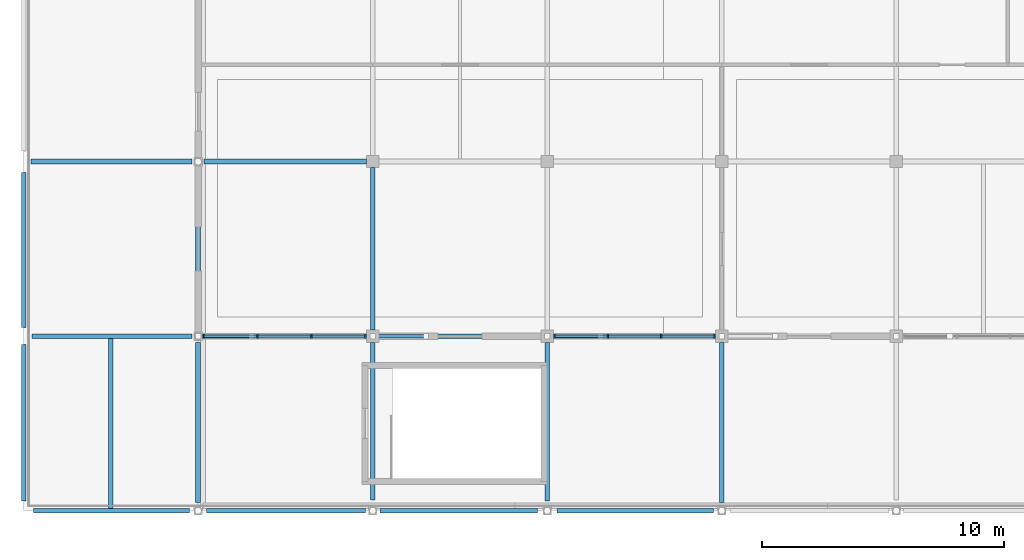
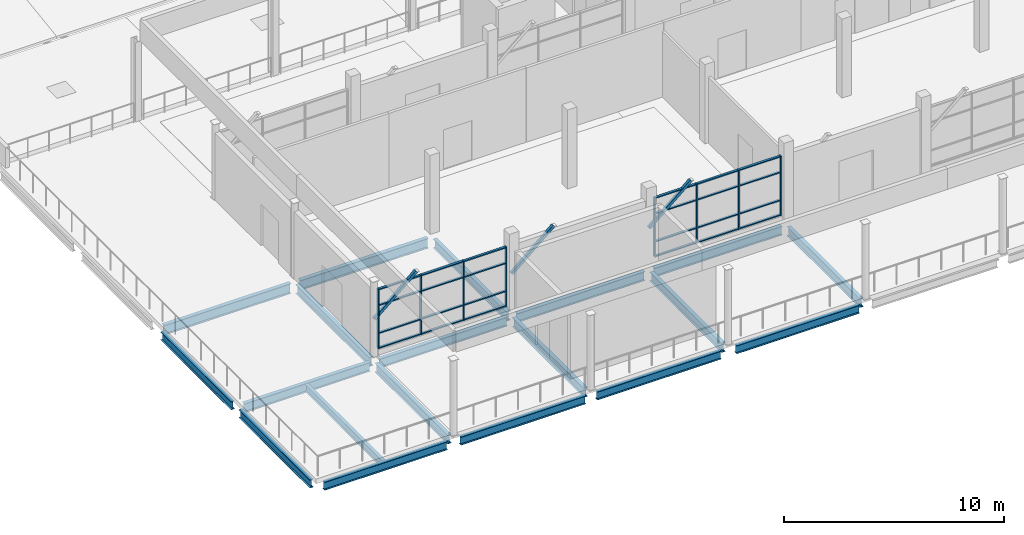
# One storey, part 5 of 32: 35 members, 19 beams, 2 elements without a shape of their own.
"""IFC4 building model written with IfcOpenShell, lengths in metres."""

from ifc_helpers import new_model, si_unit, direction, frame, origin, origin_2d, place, context, subcontext, project, spatial, rectangle, hollow_rectangle, i_section, extrude, material, material_profile, profile_set, type_object, element, aggregate, save


model = new_model("IFC4")

# Units and contexts
model_context = context("Model", 3, precision=1e-05, world=origin(), true_north=direction((0.0, 1.0)))
body_context = subcontext(model_context, "Body", "Model", "MODEL_VIEW")
ifc_project = project(units=[si_unit("LENGTHUNIT", "METRE"), si_unit("AREAUNIT", "SQUARE_METRE"), si_unit("VOLUMEUNIT", "CUBIC_METRE"), si_unit("PLANEANGLEUNIT", "RADIAN"), si_unit("MASSUNIT", "GRAM", prefix="KILO")], contexts=[model_context])

# Site, building, storey
site_placement = place(None, origin())
site = spatial("IfcSite", under=ifc_project, at=site_placement, CompositionType="ELEMENT")
building_placement = place(site_placement, origin())
building = spatial("IfcBuilding", under=site, at=building_placement, Name="Sardonyx Promenade Sports Hall", CompositionType="ELEMENT")
storey_placement = place(building_placement, frame((0.0, 0.0, 20.39990234375)))
storey = spatial("IfcBuildingStorey", under=building, at=storey_placement, Name="L04", CompositionType="ELEMENT", Elevation=20.39990234375)

# Beams
ifc_material_1 = material(Name="Steel S355JR", Category="steel")
ifc_material_profile_1 = material_profile(ifc_material_1, i_section(OverallWidth=0.179931640625, OverallDepth=0.39990234375, WebThickness=0.008544921875, FlangeThickness=0.013427734375, at=origin_2d()))
ifc_profile_set_1 = profile_set([ifc_material_profile_1], Name="Steel S355JR")
beam_type_1 = type_object("IfcBeamType", Name="Bm_Joist_IPE400", PredefinedType="JOIST", material=ifc_profile_set_1)
beam_1_placement = place(storey_placement, frame((3.60009765625, 0.094970703125, -0.4599609375), z_axis=(0.0, 1.0, 0.0), x_axis=(-1.0, 0.0, 0.0)))
element("IfcBeam", 1, at=beam_1_placement, inside=storey, type_object=beam_type_1, Name="Secondary joist SJ02 L04 #1092", PredefinedType="JOIST", context=body_context, shape_type="SweptSolid", body=[
    extrude(i_section(OverallWidth=0.179931640625, OverallDepth=0.39990234375, WebThickness=0.008544921875, FlangeThickness=0.013427734375, at=origin_2d()), origin(), (0.0, 0.0, 1.0), 7.005126953125),
])
ifc_material_2 = material(Name="Steel S355JR", Category="steel")
ifc_material_profile_2 = material_profile(ifc_material_2, i_section(OverallWidth=0.199951171875, OverallDepth=0.5, WebThickness=0.01025390625, FlangeThickness=0.01611328125, at=origin_2d()))
ifc_profile_set_2 = profile_set([ifc_material_profile_2], Name="Steel S355JR")
beam_type_2 = type_object("IfcBeamType", Name="Bm_Primary_IPE500", PredefinedType="BEAM", material=ifc_profile_set_2)
beam_2_placement = place(storey_placement, frame((0.35009765625, 7.199951171875, -0.510009765625), z_axis=(1.0, 0.0, 0.0), x_axis=(0.0, 1.0, 0.0)))
element("IfcBeam", 2, at=beam_2_placement, inside=storey, type_object=beam_type_2, Name="Beam SB06 L04 #951", PredefinedType="BEAM", context=body_context, shape_type="SweptSolid", body=[
    extrude(i_section(OverallWidth=0.199951171875, OverallDepth=0.5, WebThickness=0.01025390625, FlangeThickness=0.01611328125, at=origin_2d()), origin(), (0.0, 0.0, 1.0), 6.599853515625),
])
beam_3_placement = place(storey_placement, frame((7.449951171875, 7.199951171875, -0.52001953125), z_axis=(1.0, 0.0, 0.0), x_axis=(0.0, 1.0, 0.0)))
element("IfcBeam", 3, at=beam_3_placement, inside=storey, type_object=beam_type_2, Name="Beam SB06 L04 #952", PredefinedType="BEAM", context=body_context, shape_type="SweptSolid", body=[
    extrude(i_section(OverallWidth=0.199951171875, OverallDepth=0.5, WebThickness=0.01025390625, FlangeThickness=0.01611328125, at=origin_2d()), origin(), (0.0, 0.0, 1.0), 6.699951171875),
])
beam_4_placement = place(storey_placement, frame((14.64990234375, 7.199951171875, -0.52001953125), z_axis=(1.0, 0.0, 0.0), x_axis=(0.0, 1.0, 0.0)))
element("IfcBeam", 4, at=beam_4_placement, inside=storey, type_object=beam_type_2, Name="Beam SB06 L04 #953", PredefinedType="BEAM", context=body_context, shape_type="SweptSolid", body=[
    extrude(i_section(OverallWidth=0.199951171875, OverallDepth=0.5, WebThickness=0.01025390625, FlangeThickness=0.01611328125, at=origin_2d()), origin(), (0.0, 0.0, 1.0), 6.7001953125),
])
beam_5_placement = place(storey_placement, frame((21.85009765625, 7.199951171875, -0.52001953125), z_axis=(1.0, 0.0, 0.0), x_axis=(0.0, 1.0, 0.0)))
element("IfcBeam", 5, at=beam_5_placement, inside=storey, type_object=beam_type_2, Name="Beam SB06 L04 #954", PredefinedType="BEAM", context=body_context, shape_type="SweptSolid", body=[
    extrude(i_section(OverallWidth=0.199951171875, OverallDepth=0.5, WebThickness=0.01025390625, FlangeThickness=0.01611328125, at=origin_2d()), origin(), (0.0, 0.0, 1.0), 6.699951171875),
])
beam_6_placement = place(storey_placement, frame((7.199951171875, 0.35009765625, -0.510009765625), z_axis=(0.0, 1.0, 0.0), x_axis=(-1.0, 0.0, 0.0)))
element("IfcBeam", 6, at=beam_6_placement, inside=storey, type_object=beam_type_2, Name="Beam SB06 L04 #1016", PredefinedType="BEAM", context=body_context, shape_type="SweptSolid", body=[
    extrude(i_section(OverallWidth=0.199951171875, OverallDepth=0.5, WebThickness=0.01025390625, FlangeThickness=0.01611328125, at=origin_2d()), origin(), (0.0, 0.0, 1.0), 6.599853515625),
])
beam_7_placement = place(storey_placement, frame((7.199951171875, 7.449951171875, -0.52001953125), z_axis=(0.0, 1.0, 0.0), x_axis=(-1.0, 0.0, 0.0)))
element("IfcBeam", 7, at=beam_7_placement, inside=storey, type_object=beam_type_2, Name="Beam SB06 L04 #1017", PredefinedType="BEAM", context=body_context, shape_type="SweptSolid", body=[
    extrude(i_section(OverallWidth=0.199951171875, OverallDepth=0.5, WebThickness=0.01025390625, FlangeThickness=0.01611328125, at=origin_2d()), origin(), (0.0, 0.0, 1.0), 6.699951171875),
])
beam_8_placement = place(storey_placement, frame((14.39990234375, 0.449951171875, -0.510009765625), z_axis=(0.0, 1.0, 0.0), x_axis=(-1.0, 0.0, 0.0)))
element("IfcBeam", 8, at=beam_8_placement, inside=storey, type_object=beam_type_2, Name="Beam SB06 L04 #1022", PredefinedType="BEAM", context=body_context, shape_type="SweptSolid", body=[
    extrude(i_section(OverallWidth=0.199951171875, OverallDepth=0.5, WebThickness=0.01025390625, FlangeThickness=0.01611328125, at=origin_2d()), origin(), (0.0, 0.0, 1.0), 6.5),
])
beam_9_placement = place(storey_placement, frame((14.39990234375, 7.449951171875, -0.52001953125), z_axis=(0.0, 1.0, 0.0), x_axis=(-1.0, 0.0, 0.0)))
element("IfcBeam", 9, at=beam_9_placement, inside=storey, type_object=beam_type_2, Name="Beam SB06 L04 #1023", PredefinedType="BEAM", context=body_context, shape_type="SweptSolid", body=[
    extrude(i_section(OverallWidth=0.199951171875, OverallDepth=0.5, WebThickness=0.01025390625, FlangeThickness=0.01611328125, at=origin_2d()), origin(), (0.0, 0.0, 1.0), 6.699951171875),
])
beam_10_placement = place(storey_placement, frame((21.60009765625, 0.39990234375, -0.510009765625), z_axis=(0.0, 1.0, 0.0), x_axis=(-1.0, 0.0, 0.0)))
element("IfcBeam", 10, at=beam_10_placement, inside=storey, type_object=beam_type_2, Name="Beam SB06 L04 #1028", PredefinedType="BEAM", context=body_context, shape_type="SweptSolid", body=[
    extrude(i_section(OverallWidth=0.199951171875, OverallDepth=0.5, WebThickness=0.01025390625, FlangeThickness=0.01611328125, at=origin_2d()), origin(), (0.0, 0.0, 1.0), 6.550048828125),
])
beam_11_placement = place(storey_placement, frame((28.800048828125, 0.35009765625, -0.510009765625), z_axis=(0.0, 1.0, 0.0), x_axis=(-1.0, 0.0, 0.0)))
element("IfcBeam", 11, at=beam_11_placement, inside=storey, type_object=beam_type_2, Name="Beam SB06 L04 #1038", PredefinedType="BEAM", context=body_context, shape_type="SweptSolid", body=[
    extrude(i_section(OverallWidth=0.199951171875, OverallDepth=0.5, WebThickness=0.01025390625, FlangeThickness=0.01611328125, at=origin_2d()), origin(), (0.0, 0.0, 1.0), 6.599853515625),
])
ifc_material_3 = material(Name="Steel S355JR", Category="steel")
ifc_material_profile_3 = material_profile(ifc_material_3, i_section(OverallWidth=0.2099609375, OverallDepth=0.550048828125, WebThickness=0.010986328125, FlangeThickness=0.01708984375, at=origin_2d()))
ifc_profile_set_3 = profile_set([ifc_material_profile_3], Name="Steel S355JR")
beam_type_3 = type_object("IfcBeamType", Name="Bm_Primary_IPE550", PredefinedType="BEAM", material=ifc_profile_set_3)
beam_12_placement = place(storey_placement, frame((0.300048828125, 14.39990234375, -0.534912109375), z_axis=(1.0, 0.0, 0.0), x_axis=(0.0, 1.0, 0.0)))
element("IfcBeam", 12, at=beam_12_placement, inside=storey, type_object=beam_type_3, Name="Beam SB03 L04 #966", PredefinedType="BEAM", context=body_context, shape_type="SweptSolid", body=[
    extrude(i_section(OverallWidth=0.2099609375, OverallDepth=0.550048828125, WebThickness=0.010986328125, FlangeThickness=0.01708984375, at=origin_2d()), origin(), (0.0, 0.0, 1.0), 6.64990234375),
])
beam_13_placement = place(storey_placement, frame((7.449951171875, 14.39990234375, -0.544921875), z_axis=(1.0, 0.0, 0.0), x_axis=(0.0, 1.0, 0.0)))
element("IfcBeam", 13, at=beam_13_placement, inside=storey, type_object=beam_type_3, Name="Beam SB03 L04 #967", PredefinedType="BEAM", context=body_context, shape_type="SweptSolid", body=[
    extrude(i_section(OverallWidth=0.2099609375, OverallDepth=0.550048828125, WebThickness=0.010986328125, FlangeThickness=0.01708984375, at=origin_2d()), origin(), (0.0, 0.0, 1.0), 6.699951171875),
])
ifc_material_4 = material(Name="Steel S355JR", Category="steel")
ifc_material_profile_4 = material_profile(ifc_material_4, i_section(OverallWidth=0.18994140625, OverallDepth=0.449951171875, WebThickness=0.009521484375, FlangeThickness=0.0146484375, at=origin_2d()))
ifc_profile_set_4 = profile_set([ifc_material_profile_4], Name="Steel S355JR")
beam_type_4 = type_object("IfcBeamType", Name="Bm_Spandrel_Steel", PredefinedType="SPANDREL", material=ifc_profile_set_4)
beam_14_placement = place(storey_placement, frame((0.39990234375, 0.0, -0.48486328125), z_axis=(1.0, 0.0, 0.0), x_axis=(0.0, 1.0, 0.0)))
element("IfcBeam", 14, at=beam_14_placement, inside=storey, type_object=beam_type_4, Name="Beam SPB3 L04 #936", PredefinedType="SPANDREL", context=body_context, shape_type="SweptSolid", body=[
    extrude(i_section(OverallWidth=0.18994140625, OverallDepth=0.449951171875, WebThickness=0.009521484375, FlangeThickness=0.0146484375, at=origin_2d()), origin(), (0.0, 0.0, 1.0), 6.4501953125),
])
beam_15_placement = place(storey_placement, frame((7.550048828125, 0.0, -0.48486328125), z_axis=(1.0, 0.0, 0.0), x_axis=(0.0, 1.0, 0.0)))
element("IfcBeam", 15, at=beam_15_placement, inside=storey, type_object=beam_type_4, Name="Beam SPB3 L04 #937", PredefinedType="SPANDREL", context=body_context, shape_type="SweptSolid", body=[
    extrude(i_section(OverallWidth=0.18994140625, OverallDepth=0.449951171875, WebThickness=0.009521484375, FlangeThickness=0.0146484375, at=origin_2d()), origin(), (0.0, 0.0, 1.0), 6.550048828125),
])
beam_16_placement = place(storey_placement, frame((14.699951171875, 0.0, -0.48486328125), z_axis=(1.0, 0.0, 0.0), x_axis=(0.0, 1.0, 0.0)))
element("IfcBeam", 16, at=beam_16_placement, inside=storey, type_object=beam_type_4, Name="Beam SPB3 L04 #938", PredefinedType="SPANDREL", context=body_context, shape_type="SweptSolid", body=[
    extrude(i_section(OverallWidth=0.18994140625, OverallDepth=0.449951171875, WebThickness=0.009521484375, FlangeThickness=0.0146484375, at=origin_2d()), origin(), (0.0, 0.0, 1.0), 6.5),
])
beam_17_placement = place(storey_placement, frame((22.0, 0.0, -0.48486328125), z_axis=(1.0, 0.0, 0.0), x_axis=(0.0, 1.0, 0.0)))
element("IfcBeam", 17, at=beam_17_placement, inside=storey, type_object=beam_type_4, Name="Beam SPB3 L04 #939", PredefinedType="SPANDREL", context=body_context, shape_type="SweptSolid", body=[
    extrude(i_section(OverallWidth=0.18994140625, OverallDepth=0.449951171875, WebThickness=0.009521484375, FlangeThickness=0.0146484375, at=origin_2d()), origin(), (0.0, 0.0, 1.0), 6.449951171875),
])
beam_18_placement = place(storey_placement, frame((0.0, 0.39990234375, -0.48486328125), z_axis=(0.0, 1.0, 0.0), x_axis=(-1.0, 0.0, 0.0)))
element("IfcBeam", 18, at=beam_18_placement, inside=storey, type_object=beam_type_4, Name="Beam SPB3 L04 #1011", PredefinedType="SPANDREL", context=body_context, shape_type="SweptSolid", body=[
    extrude(i_section(OverallWidth=0.18994140625, OverallDepth=0.449951171875, WebThickness=0.009521484375, FlangeThickness=0.0146484375, at=origin_2d()), origin(), (0.0, 0.0, 1.0), 6.4501953125),
])
beam_19_placement = place(storey_placement, frame((0.0, 7.550048828125, -0.48486328125), z_axis=(0.0, 1.0, 0.0), x_axis=(-1.0, 0.0, 0.0)))
element("IfcBeam", 19, at=beam_19_placement, inside=storey, type_object=beam_type_4, Name="Beam SPB3 L04 #1012", PredefinedType="SPANDREL", context=body_context, shape_type="SweptSolid", body=[
    extrude(i_section(OverallWidth=0.18994140625, OverallDepth=0.449951171875, WebThickness=0.009521484375, FlangeThickness=0.0146484375, at=origin_2d()), origin(), (0.0, 0.0, 1.0), 6.39990234375),
])

# Curtain wall, members
ifc_material_5 = material(Name="Aluminium 6063-T6", Category="aluminium")
curtain_wall_type = type_object("IfcCurtainWallType", Name="CW_Pavilion_L04_640", PredefinedType="USERDEFINED", material=ifc_material_5)
curtain_wall_1_placement = place(storey_placement, origin())
curtain_wall_1 = element("IfcCurtainWall", 20, at=curtain_wall_1_placement, inside=storey, type_object=curtain_wall_type, Name="Curtain wall CW10 cw:L04:173", ObjectType="CURTAIN WALL", PredefinedType="USERDEFINED")
ifc_material_6 = material(Name="Aluminium 6063-T6", Category="aluminium")
ifc_material_profile_5 = material_profile(ifc_material_6, rectangle(XDim=0.06005859375, YDim=0.14990234375, at=origin_2d()))
ifc_profile_set_5 = profile_set([ifc_material_profile_5], Name="Aluminium 6063-T6")
member_type_1 = type_object("IfcMemberType", Name="CW_Mull_150", PredefinedType="MULLION", material=ifc_profile_set_5)
member_1_placement = place(storey_placement, frame((28.5, 7.199951171875, 0.300048828125), z_axis=(0.0, 0.0, 1.0), x_axis=(-1.0, 0.0, 0.0)))
member_1 = element("IfcMember", 21, at=member_1_placement, type_object=member_type_1, Name="Mullion CM01 cw:L04:173 #1", PredefinedType="MULLION", context=body_context, shape_type="SweptSolid", body=[
    extrude(rectangle(XDim=0.06005859375, YDim=0.14990234375, at=origin_2d()), origin(), (0.0, 0.0, 1.0), 3.300048828125),
])
member_2_placement = place(storey_placement, frame((26.300048828125, 7.199951171875, 0.300048828125), z_axis=(0.0, 0.0, 1.0), x_axis=(-1.0, 0.0, 0.0)))
member_2 = element("IfcMember", 22, at=member_2_placement, type_object=member_type_1, Name="Mullion CM01 cw:L04:173 #2", PredefinedType="MULLION", context=body_context, shape_type="SweptSolid", body=[
    extrude(rectangle(XDim=0.06005859375, YDim=0.14990234375, at=origin_2d()), origin(), (0.0, 0.0, 1.0), 3.300048828125),
])
member_3_placement = place(storey_placement, frame((24.10009765625, 7.199951171875, 0.300048828125), z_axis=(0.0, 0.0, 1.0), x_axis=(-1.0, 0.0, 0.0)))
member_3 = element("IfcMember", 23, at=member_3_placement, type_object=member_type_1, Name="Mullion CM01 cw:L04:173 #3", PredefinedType="MULLION", context=body_context, shape_type="SweptSolid", body=[
    extrude(rectangle(XDim=0.06005859375, YDim=0.14990234375, at=origin_2d()), origin(), (0.0, 0.0, 1.0), 3.300048828125),
])
member_4_placement = place(storey_placement, frame((21.89990234375, 7.199951171875, 0.300048828125), z_axis=(0.0, 0.0, 1.0), x_axis=(-1.0, 0.0, 0.0)))
member_4 = element("IfcMember", 24, at=member_4_placement, type_object=member_type_1, Name="Mullion CM01 cw:L04:173 #4", PredefinedType="MULLION", context=body_context, shape_type="SweptSolid", body=[
    extrude(rectangle(XDim=0.06005859375, YDim=0.14990234375, at=origin_2d()), origin(), (0.0, 0.0, 1.0), 3.300048828125),
])

curtain_wall_2_placement = place(storey_placement, origin())
curtain_wall_2 = element("IfcCurtainWall", 25, at=curtain_wall_2_placement, inside=storey, type_object=curtain_wall_type, Name="Curtain wall CW10 cw:L04:174", ObjectType="CURTAIN WALL", PredefinedType="USERDEFINED")
member_5_placement = place(storey_placement, frame((14.10009765625, 7.199951171875, 0.300048828125), z_axis=(0.0, 0.0, 1.0), x_axis=(-1.0, 0.0, 0.0)))
member_5 = element("IfcMember", 26, at=member_5_placement, type_object=member_type_1, Name="Mullion CM01 cw:L04:174 #1", PredefinedType="MULLION", context=body_context, shape_type="SweptSolid", body=[
    extrude(rectangle(XDim=0.06005859375, YDim=0.14990234375, at=origin_2d()), origin(), (0.0, 0.0, 1.0), 3.300048828125),
])
member_6_placement = place(storey_placement, frame((11.87060546875, 7.199951171875, 0.300048828125), z_axis=(0.0, 0.0, 1.0), x_axis=(-1.0, 0.0, 0.0)))
member_6 = element("IfcMember", 27, at=member_6_placement, type_object=member_type_1, Name="Mullion CM01 cw:L04:174 #2", PredefinedType="MULLION", context=body_context, shape_type="SweptSolid", body=[
    extrude(rectangle(XDim=0.06005859375, YDim=0.14990234375, at=origin_2d()), origin(), (0.0, 0.0, 1.0), 3.300048828125),
])
member_7_placement = place(storey_placement, frame((9.641357421875, 7.199951171875, 0.300048828125), z_axis=(0.0, 0.0, 1.0), x_axis=(-1.0, 0.0, 0.0)))
member_7 = element("IfcMember", 28, at=member_7_placement, type_object=member_type_1, Name="Mullion CM01 cw:L04:174 #3", PredefinedType="MULLION", context=body_context, shape_type="SweptSolid", body=[
    extrude(rectangle(XDim=0.06005859375, YDim=0.14990234375, at=origin_2d()), origin(), (0.0, 0.0, 1.0), 3.300048828125),
])
member_8_placement = place(storey_placement, frame((7.411865234375, 7.199951171875, 0.300048828125), z_axis=(0.0, 0.0, 1.0), x_axis=(-1.0, 0.0, 0.0)))
member_8 = element("IfcMember", 29, at=member_8_placement, type_object=member_type_1, Name="Mullion CM01 cw:L04:174 #4", PredefinedType="MULLION", context=body_context, shape_type="SweptSolid", body=[
    extrude(rectangle(XDim=0.06005859375, YDim=0.14990234375, at=origin_2d()), origin(), (0.0, 0.0, 1.0), 3.300048828125),
])

# Member
ifc_material_7 = material(Name="Aluminium 6063-T6", Category="aluminium")
ifc_material_profile_6 = material_profile(ifc_material_7, rectangle(XDim=0.06005859375, YDim=0.1201171875, at=origin_2d()))
ifc_profile_set_6 = profile_set([ifc_material_profile_6], Name="Aluminium 6063-T6")
member_type_2 = type_object("IfcMemberType", Name="CW_Tran_120", PredefinedType="USERDEFINED", material=ifc_profile_set_6)
member_9_placement = place(storey_placement, frame((28.469970703125, 7.199951171875, 0.330078125), z_axis=(-1.0, 0.0, 0.0), x_axis=(0.0, 0.0, 1.0)))
member_9 = element("IfcMember", 30, at=member_9_placement, type_object=member_type_2, Name="Transom CT01 cw:L04:173 #1", ObjectType="TRANSOM", PredefinedType="USERDEFINED", context=body_context, shape_type="SweptSolid", body=[
    extrude(rectangle(XDim=0.06005859375, YDim=0.1201171875, at=origin_2d()), origin(), (0.0, 0.0, 1.0), 2.139892578125),
])

member_10_placement = place(storey_placement, frame((28.469970703125, 7.199951171875, 1.150146484375), z_axis=(-1.0, 0.0, 0.0), x_axis=(0.0, 0.0, 1.0)))
member_10 = element("IfcMember", 31, at=member_10_placement, type_object=member_type_2, Name="Transom CT01 cw:L04:173 #2", ObjectType="TRANSOM", PredefinedType="USERDEFINED", context=body_context, shape_type="SweptSolid", body=[
    extrude(rectangle(XDim=0.06005859375, YDim=0.1201171875, at=origin_2d()), origin(), (0.0, 0.0, 1.0), 2.139892578125),
])

member_11_placement = place(storey_placement, frame((28.469970703125, 7.199951171875, 2.7001953125), z_axis=(-1.0, 0.0, 0.0), x_axis=(0.0, 0.0, 1.0)))
member_11 = element("IfcMember", 32, at=member_11_placement, type_object=member_type_2, Name="Transom CT01 cw:L04:173 #3", ObjectType="TRANSOM", PredefinedType="USERDEFINED", context=body_context, shape_type="SweptSolid", body=[
    extrude(rectangle(XDim=0.06005859375, YDim=0.1201171875, at=origin_2d()), origin(), (0.0, 0.0, 1.0), 2.139892578125),
])

member_12_placement = place(storey_placement, frame((28.469970703125, 7.199951171875, 3.570068359375), z_axis=(-1.0, 0.0, 0.0), x_axis=(0.0, 0.0, 1.0)))
member_12 = element("IfcMember", 33, at=member_12_placement, type_object=member_type_2, Name="Transom CT01 cw:L04:173 #4", ObjectType="TRANSOM", PredefinedType="USERDEFINED", context=body_context, shape_type="SweptSolid", body=[
    extrude(rectangle(XDim=0.06005859375, YDim=0.1201171875, at=origin_2d()), origin(), (0.0, 0.0, 1.0), 2.139892578125),
])

member_13_placement = place(storey_placement, frame((26.27001953125, 7.199951171875, 0.330078125), z_axis=(-1.0, 0.0, 0.0), x_axis=(0.0, 0.0, 1.0)))
member_13 = element("IfcMember", 34, at=member_13_placement, type_object=member_type_2, Name="Transom CT01 cw:L04:173 #5", ObjectType="TRANSOM", PredefinedType="USERDEFINED", context=body_context, shape_type="SweptSolid", body=[
    extrude(rectangle(XDim=0.06005859375, YDim=0.1201171875, at=origin_2d()), origin(), (0.0, 0.0, 1.0), 2.14013671875),
])

member_14_placement = place(storey_placement, frame((26.27001953125, 7.199951171875, 1.150146484375), z_axis=(-1.0, 0.0, 0.0), x_axis=(0.0, 0.0, 1.0)))
member_14 = element("IfcMember", 35, at=member_14_placement, type_object=member_type_2, Name="Transom CT01 cw:L04:173 #6", ObjectType="TRANSOM", PredefinedType="USERDEFINED", context=body_context, shape_type="SweptSolid", body=[
    extrude(rectangle(XDim=0.06005859375, YDim=0.1201171875, at=origin_2d()), origin(), (0.0, 0.0, 1.0), 2.14013671875),
])

member_15_placement = place(storey_placement, frame((26.27001953125, 7.199951171875, 2.7001953125), z_axis=(-1.0, 0.0, 0.0), x_axis=(0.0, 0.0, 1.0)))
member_15 = element("IfcMember", 36, at=member_15_placement, type_object=member_type_2, Name="Transom CT01 cw:L04:173 #7", ObjectType="TRANSOM", PredefinedType="USERDEFINED", context=body_context, shape_type="SweptSolid", body=[
    extrude(rectangle(XDim=0.06005859375, YDim=0.1201171875, at=origin_2d()), origin(), (0.0, 0.0, 1.0), 2.14013671875),
])

member_16_placement = place(storey_placement, frame((26.27001953125, 7.199951171875, 3.570068359375), z_axis=(-1.0, 0.0, 0.0), x_axis=(0.0, 0.0, 1.0)))
member_16 = element("IfcMember", 37, at=member_16_placement, type_object=member_type_2, Name="Transom CT01 cw:L04:173 #8", ObjectType="TRANSOM", PredefinedType="USERDEFINED", context=body_context, shape_type="SweptSolid", body=[
    extrude(rectangle(XDim=0.06005859375, YDim=0.1201171875, at=origin_2d()), origin(), (0.0, 0.0, 1.0), 2.14013671875),
])

member_17_placement = place(storey_placement, frame((24.070068359375, 7.199951171875, 0.330078125), z_axis=(-1.0, 0.0, 0.0), x_axis=(0.0, 0.0, 1.0)))
member_17 = element("IfcMember", 38, at=member_17_placement, type_object=member_type_2, Name="Transom CT01 cw:L04:173 #9", ObjectType="TRANSOM", PredefinedType="USERDEFINED", context=body_context, shape_type="SweptSolid", body=[
    extrude(rectangle(XDim=0.06005859375, YDim=0.1201171875, at=origin_2d()), origin(), (0.0, 0.0, 1.0), 2.14013671875),
])

member_18_placement = place(storey_placement, frame((24.070068359375, 7.199951171875, 1.150146484375), z_axis=(-1.0, 0.0, 0.0), x_axis=(0.0, 0.0, 1.0)))
member_18 = element("IfcMember", 39, at=member_18_placement, type_object=member_type_2, Name="Transom CT01 cw:L04:173 #10", ObjectType="TRANSOM", PredefinedType="USERDEFINED", context=body_context, shape_type="SweptSolid", body=[
    extrude(rectangle(XDim=0.06005859375, YDim=0.1201171875, at=origin_2d()), origin(), (0.0, 0.0, 1.0), 2.14013671875),
])

member_19_placement = place(storey_placement, frame((24.070068359375, 7.199951171875, 2.7001953125), z_axis=(-1.0, 0.0, 0.0), x_axis=(0.0, 0.0, 1.0)))
member_19 = element("IfcMember", 40, at=member_19_placement, type_object=member_type_2, Name="Transom CT01 cw:L04:173 #11", ObjectType="TRANSOM", PredefinedType="USERDEFINED", context=body_context, shape_type="SweptSolid", body=[
    extrude(rectangle(XDim=0.06005859375, YDim=0.1201171875, at=origin_2d()), origin(), (0.0, 0.0, 1.0), 2.14013671875),
])

member_20_placement = place(storey_placement, frame((24.070068359375, 7.199951171875, 3.570068359375), z_axis=(-1.0, 0.0, 0.0), x_axis=(0.0, 0.0, 1.0)))
member_20 = element("IfcMember", 41, at=member_20_placement, type_object=member_type_2, Name="Transom CT01 cw:L04:173 #12", ObjectType="TRANSOM", PredefinedType="USERDEFINED", context=body_context, shape_type="SweptSolid", body=[
    extrude(rectangle(XDim=0.06005859375, YDim=0.1201171875, at=origin_2d()), origin(), (0.0, 0.0, 1.0), 2.14013671875),
])

aggregate(curtain_wall_1, [member_1, member_2, member_3, member_4, member_9, member_10, member_11, member_12, member_13, member_14, member_15, member_16, member_17, member_18, member_19, member_20])

member_21_placement = place(storey_placement, frame((14.070068359375, 7.199951171875, 0.330078125), z_axis=(-1.0, 0.0, 0.0), x_axis=(0.0, 0.0, 1.0)))
member_21 = element("IfcMember", 42, at=member_21_placement, type_object=member_type_2, Name="Transom CT01 cw:L04:174 #1", ObjectType="TRANSOM", PredefinedType="USERDEFINED", context=body_context, shape_type="SweptSolid", body=[
    extrude(rectangle(XDim=0.06005859375, YDim=0.1201171875, at=origin_2d()), origin(), (0.0, 0.0, 1.0), 2.16943359375),
])

member_22_placement = place(storey_placement, frame((14.070068359375, 7.199951171875, 1.150146484375), z_axis=(-1.0, 0.0, 0.0), x_axis=(0.0, 0.0, 1.0)))
member_22 = element("IfcMember", 43, at=member_22_placement, type_object=member_type_2, Name="Transom CT01 cw:L04:174 #2", ObjectType="TRANSOM", PredefinedType="USERDEFINED", context=body_context, shape_type="SweptSolid", body=[
    extrude(rectangle(XDim=0.06005859375, YDim=0.1201171875, at=origin_2d()), origin(), (0.0, 0.0, 1.0), 2.16943359375),
])

member_23_placement = place(storey_placement, frame((14.070068359375, 7.199951171875, 2.7001953125), z_axis=(-1.0, 0.0, 0.0), x_axis=(0.0, 0.0, 1.0)))
member_23 = element("IfcMember", 44, at=member_23_placement, type_object=member_type_2, Name="Transom CT01 cw:L04:174 #3", ObjectType="TRANSOM", PredefinedType="USERDEFINED", context=body_context, shape_type="SweptSolid", body=[
    extrude(rectangle(XDim=0.06005859375, YDim=0.1201171875, at=origin_2d()), origin(), (0.0, 0.0, 1.0), 2.16943359375),
])

member_24_placement = place(storey_placement, frame((14.070068359375, 7.199951171875, 3.570068359375), z_axis=(-1.0, 0.0, 0.0), x_axis=(0.0, 0.0, 1.0)))
member_24 = element("IfcMember", 45, at=member_24_placement, type_object=member_type_2, Name="Transom CT01 cw:L04:174 #4", ObjectType="TRANSOM", PredefinedType="USERDEFINED", context=body_context, shape_type="SweptSolid", body=[
    extrude(rectangle(XDim=0.06005859375, YDim=0.1201171875, at=origin_2d()), origin(), (0.0, 0.0, 1.0), 2.16943359375),
])

member_25_placement = place(storey_placement, frame((11.840576171875, 7.199951171875, 0.330078125), z_axis=(-1.0, 0.0, 0.0), x_axis=(0.0, 0.0, 1.0)))
member_25 = element("IfcMember", 46, at=member_25_placement, type_object=member_type_2, Name="Transom CT01 cw:L04:174 #5", ObjectType="TRANSOM", PredefinedType="USERDEFINED", context=body_context, shape_type="SweptSolid", body=[
    extrude(rectangle(XDim=0.06005859375, YDim=0.1201171875, at=origin_2d()), origin(), (0.0, 0.0, 1.0), 2.169189453125),
])

member_26_placement = place(storey_placement, frame((11.840576171875, 7.199951171875, 1.150146484375), z_axis=(-1.0, 0.0, 0.0), x_axis=(0.0, 0.0, 1.0)))
member_26 = element("IfcMember", 47, at=member_26_placement, type_object=member_type_2, Name="Transom CT01 cw:L04:174 #6", ObjectType="TRANSOM", PredefinedType="USERDEFINED", context=body_context, shape_type="SweptSolid", body=[
    extrude(rectangle(XDim=0.06005859375, YDim=0.1201171875, at=origin_2d()), origin(), (0.0, 0.0, 1.0), 2.169189453125),
])

member_27_placement = place(storey_placement, frame((11.840576171875, 7.199951171875, 2.7001953125), z_axis=(-1.0, 0.0, 0.0), x_axis=(0.0, 0.0, 1.0)))
member_27 = element("IfcMember", 48, at=member_27_placement, type_object=member_type_2, Name="Transom CT01 cw:L04:174 #7", ObjectType="TRANSOM", PredefinedType="USERDEFINED", context=body_context, shape_type="SweptSolid", body=[
    extrude(rectangle(XDim=0.06005859375, YDim=0.1201171875, at=origin_2d()), origin(), (0.0, 0.0, 1.0), 2.169189453125),
])

member_28_placement = place(storey_placement, frame((11.840576171875, 7.199951171875, 3.570068359375), z_axis=(-1.0, 0.0, 0.0), x_axis=(0.0, 0.0, 1.0)))
member_28 = element("IfcMember", 49, at=member_28_placement, type_object=member_type_2, Name="Transom CT01 cw:L04:174 #8", ObjectType="TRANSOM", PredefinedType="USERDEFINED", context=body_context, shape_type="SweptSolid", body=[
    extrude(rectangle(XDim=0.06005859375, YDim=0.1201171875, at=origin_2d()), origin(), (0.0, 0.0, 1.0), 2.169189453125),
])

member_29_placement = place(storey_placement, frame((9.611328125, 7.199951171875, 0.330078125), z_axis=(-1.0, 0.0, 0.0), x_axis=(0.0, 0.0, 1.0)))
member_29 = element("IfcMember", 50, at=member_29_placement, type_object=member_type_2, Name="Transom CT01 cw:L04:174 #9", ObjectType="TRANSOM", PredefinedType="USERDEFINED", context=body_context, shape_type="SweptSolid", body=[
    extrude(rectangle(XDim=0.06005859375, YDim=0.1201171875, at=origin_2d()), origin(), (0.0, 0.0, 1.0), 2.16943359375),
])

member_30_placement = place(storey_placement, frame((9.611328125, 7.199951171875, 1.150146484375), z_axis=(-1.0, 0.0, 0.0), x_axis=(0.0, 0.0, 1.0)))
member_30 = element("IfcMember", 51, at=member_30_placement, type_object=member_type_2, Name="Transom CT01 cw:L04:174 #10", ObjectType="TRANSOM", PredefinedType="USERDEFINED", context=body_context, shape_type="SweptSolid", body=[
    extrude(rectangle(XDim=0.06005859375, YDim=0.1201171875, at=origin_2d()), origin(), (0.0, 0.0, 1.0), 2.16943359375),
])

member_31_placement = place(storey_placement, frame((9.611328125, 7.199951171875, 2.7001953125), z_axis=(-1.0, 0.0, 0.0), x_axis=(0.0, 0.0, 1.0)))
member_31 = element("IfcMember", 52, at=member_31_placement, type_object=member_type_2, Name="Transom CT01 cw:L04:174 #11", ObjectType="TRANSOM", PredefinedType="USERDEFINED", context=body_context, shape_type="SweptSolid", body=[
    extrude(rectangle(XDim=0.06005859375, YDim=0.1201171875, at=origin_2d()), origin(), (0.0, 0.0, 1.0), 2.16943359375),
])

member_32_placement = place(storey_placement, frame((9.611328125, 7.199951171875, 3.570068359375), z_axis=(-1.0, 0.0, 0.0), x_axis=(0.0, 0.0, 1.0)))
member_32 = element("IfcMember", 53, at=member_32_placement, type_object=member_type_2, Name="Transom CT01 cw:L04:174 #12", ObjectType="TRANSOM", PredefinedType="USERDEFINED", context=body_context, shape_type="SweptSolid", body=[
    extrude(rectangle(XDim=0.06005859375, YDim=0.1201171875, at=origin_2d()), origin(), (0.0, 0.0, 1.0), 2.16943359375),
])

aggregate(curtain_wall_2, [member_5, member_6, member_7, member_8, member_21, member_22, member_23, member_24, member_25, member_26, member_27, member_28, member_29, member_30, member_31, member_32])

# Members
ifc_material_8 = material(Name="Steel S355JR", Category="steel")
ifc_material_profile_7 = material_profile(ifc_material_8, hollow_rectangle(XDim=0.14990234375, YDim=0.14990234375, WallThickness=0.008056640625, at=origin_2d()))
ifc_profile_set_7 = profile_set([ifc_material_profile_7], Name="Steel S355JR")
member_type_3 = type_object("IfcMemberType", Name="Mbr_Strut_SHS150", PredefinedType="STRUT", material=ifc_profile_set_7)
member_33_placement = place(storey_placement, frame((7.199951171875, 7.199951171875, 2.0), z_axis=(0.756790903627, 0.0, 0.653657041718), x_axis=(0.0, 1.0, 0.0)))
element("IfcMember", 54, at=member_33_placement, inside=storey, type_object=member_type_3, Name="Pavilion roof knee-brace strut #12", PredefinedType="STRUT", context=body_context, shape_type="SweptSolid", body=[
    extrude(hollow_rectangle(XDim=0.14990234375, YDim=0.14990234375, WallThickness=0.008056640625, at=origin_2d()), origin(), (0.0, 0.0, 1.0), 2.906982421875),
])
member_34_placement = place(storey_placement, frame((14.39990234375, 7.199951171875, 2.0), z_axis=(0.756826784367, 0.0, 0.653615497418), x_axis=(0.0, 1.0, 0.0)))
element("IfcMember", 55, at=member_34_placement, inside=storey, type_object=member_type_3, Name="Pavilion roof knee-brace strut #14", PredefinedType="STRUT", context=body_context, shape_type="SweptSolid", body=[
    extrude(hollow_rectangle(XDim=0.14990234375, YDim=0.14990234375, WallThickness=0.008056640625, at=origin_2d()), origin(), (0.0, 0.0, 1.0), 2.9072265625),
])
member_35_placement = place(storey_placement, frame((21.60009765625, 7.199951171875, 2.0), z_axis=(0.756790903627, 0.0, 0.653657041718), x_axis=(0.0, 1.0, 0.0)))
element("IfcMember", 56, at=member_35_placement, inside=storey, type_object=member_type_3, Name="Pavilion roof knee-brace strut #16", PredefinedType="STRUT", context=body_context, shape_type="SweptSolid", body=[
    extrude(hollow_rectangle(XDim=0.14990234375, YDim=0.14990234375, WallThickness=0.008056640625, at=origin_2d()), origin(), (0.0, 0.0, 1.0), 2.906982421875),
])

save(model, "model.ifc")
